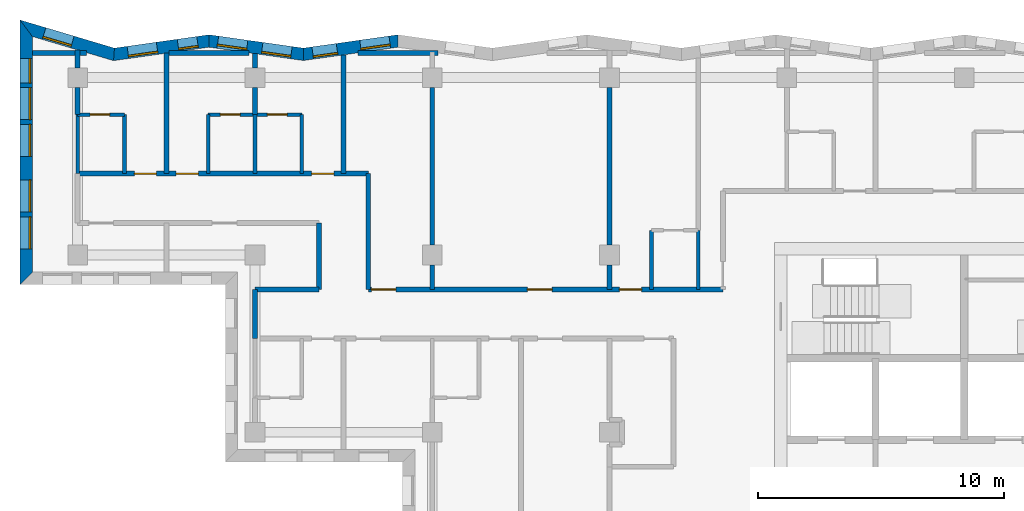
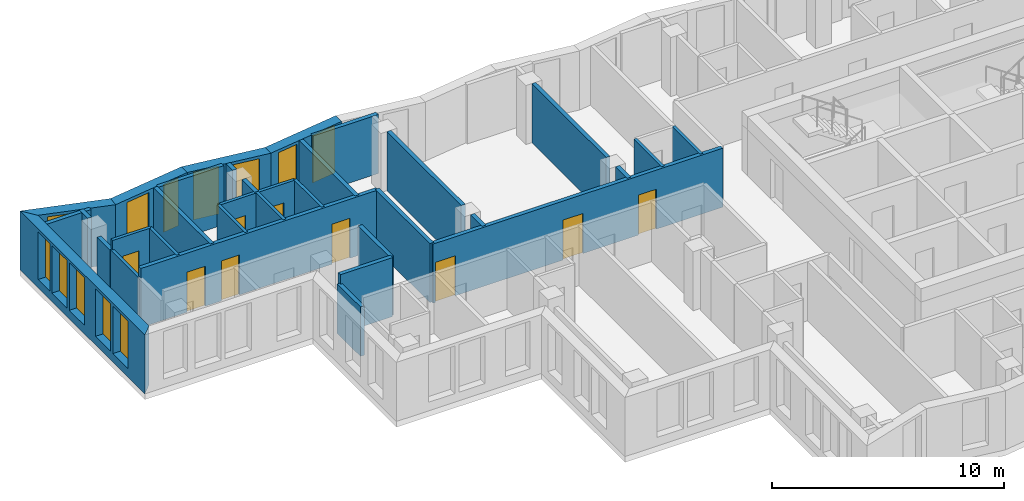
# One storey, part 6 of 13: 33 walls, 12 windows, 9 doors, 21 openings.
"""IFC4 building model written with IfcOpenShell, lengths in metres."""

from ifc_helpers import new_model, si_unit, direction, frame, frame_2d, origin, place, context, subcontext, project, spatial, polyline, rectangle, outline, extrude, material, layer, layer_set, type_object, element, fill, save


model = new_model("IFC4")

# Units and contexts
model_context = context("Model", 3, precision=1e-05, world=origin(), true_north=direction((0.0, 1.0)))
body_context = subcontext(model_context, "Body", "Model", "MODEL_VIEW")
ifc_project = project(units=[si_unit("LENGTHUNIT", "METRE"), si_unit("AREAUNIT", "SQUARE_METRE"), si_unit("VOLUMEUNIT", "CUBIC_METRE"), si_unit("PLANEANGLEUNIT", "RADIAN"), si_unit("MASSUNIT", "GRAM", prefix="KILO")], contexts=[model_context])

# Site, building, storey
site_placement = place(None, origin())
site = spatial("IfcSite", under=ifc_project, at=site_placement, CompositionType="ELEMENT")
building_placement = place(site_placement, origin())
building = spatial("IfcBuilding", under=site, at=building_placement, Name="Windrow Commons", CompositionType="ELEMENT")
storey_placement = place(building_placement, frame((0.0, 0.0, 216.8)))
storey = spatial("IfcBuildingStorey", under=building, at=storey_placement, Name="L59", CompositionType="ELEMENT", Elevation=216.8)

# Wall, openings, windows
ifc_material_1 = material(Name="Brick masonry, red clay brick", Category="masonry")
ifc_layer_1 = layer(ifc_material_1, 0.5)
ifc_layer_set_1 = layer_set([ifc_layer_1], Name="Brick facade wall 500")
wall_type_1 = type_object("IfcWallType", Name="Brick facade wall 500", PredefinedType="SOLIDWALL", material=ifc_layer_set_1)
wall_1_placement = place(storey_placement, frame((41.8043, 73.4895, 0.0), z_axis=(0.0, 0.0, 1.0), x_axis=(-0.9901681853, -0.1398819675, 0.0)))
wall_1 = element("IfcWall", 1, at=wall_1_placement, inside=storey, type_object=wall_type_1, Name="Brick facade wall L59 27", PredefinedType="SOLIDWALL", context=body_context, shape_type="SweptSolid", body=[
    extrude(outline(polyline([(-0.0353, -0.25), (3.8394, -0.25), (3.91, 0.25), (0.0353, 0.25), (-0.0353, -0.25)])), origin(), (0.0, 0.0, 1.0), 3.1),
])
opening_1_placement = place(wall_1_placement, frame((0.3308, 0.0, 0.45)))
opening_1 = element("IfcOpeningElement", 2, at=opening_1_placement, cuts=wall_1, Name="Opening W7E", PredefinedType="OPENING", context=body_context, shape_type="SweptSolid", body=[
    extrude(rectangle(XDim=1.2, YDim=2.5, at=frame_2d((0.6, 1.25))), frame((0.0, 0.26, 0.0), z_axis=(0.0, -1.0, 0.0), x_axis=(1.0, 0.0, 0.0)), (0.0, 0.0, 1.0), 0.52),
])
opening_2_placement = place(wall_1_placement, frame((2.4933, 0.0, 0.45)))
opening_2 = element("IfcOpeningElement", 3, at=opening_2_placement, cuts=wall_1, Name="Opening W1S", PredefinedType="OPENING", context=body_context, shape_type="SweptSolid", body=[
    extrude(rectangle(XDim=1.0, YDim=2.5, at=frame_2d((0.5, 1.25))), frame((0.0, 0.26, 0.0), z_axis=(0.0, -1.0, 0.0), x_axis=(1.0, 0.0, 0.0)), (0.0, 0.0, 1.0), 0.52),
])
ifc_material_2 = material(Name="Clear float glass in anodised aluminium frame", Category="aluminium")
window_type_1 = type_object("IfcWindowType", Name="Window W1S slit 1000x2500", PartitioningType="SINGLE_PANEL", PredefinedType="WINDOW", material=ifc_material_2)
window_1_placement = place(opening_2_placement, origin())
window_1 = element("IfcWindow", 4, at=window_1_placement, inside=storey, type_object=window_type_1, Name="Window L59 27.2A", OverallHeight=2.5, OverallWidth=1.0, PartitioningType="SINGLE_PANEL", PredefinedType="WINDOW", context=body_context, shape_type="SweptSolid", body=[
    extrude(rectangle(XDim=1.0, YDim=2.5, at=frame_2d((0.5, 1.25))), frame((0.0, 0.18, 0.0), z_axis=(0.0, -1.0, 0.0), x_axis=(1.0, 0.0, 0.0)), (0.0, 0.0, 1.0), 0.06),
])
fill(opening_2, window_1)
ifc_material_3 = material(Name="Clear float glass in anodised aluminium frame", Category="aluminium")
window_type_2 = type_object("IfcWindowType", Name="Window W7 notch 1200x2500", PartitioningType="SINGLE_PANEL", PredefinedType="WINDOW", material=ifc_material_3)
window_2_placement = place(opening_1_placement, origin())
window_2 = element("IfcWindow", 5, at=window_2_placement, inside=storey, type_object=window_type_2, Name="Window L59 27.1", OverallHeight=2.5, OverallWidth=1.2, PartitioningType="SINGLE_PANEL", PredefinedType="WINDOW", context=body_context, shape_type="SweptSolid", body=[
    extrude(rectangle(XDim=1.2, YDim=2.5, at=frame_2d((0.6, 1.25))), frame((0.0, 0.14, 0.0), z_axis=(0.0, -1.0, 0.0), x_axis=(1.0, 0.0, 0.0)), (0.0, 0.0, 1.0), 0.06),
])
fill(opening_1, window_2)

wall_2_placement = place(storey_placement, frame((37.9677, 72.9475, 0.0), z_axis=(0.0, 0.0, 1.0), x_axis=(-0.9901676803, 0.1398855422, 0.0)))
wall_2 = element("IfcWall", 6, at=wall_2_placement, inside=storey, type_object=wall_type_1, Name="Brick facade wall L59 28", PredefinedType="SOLIDWALL", context=body_context, shape_type="SweptSolid", body=[
    extrude(outline(polyline([(0.0353, -0.25), (3.91, -0.25), (3.8394, 0.25), (-0.0353, 0.25), (0.0353, -0.25)])), origin(), (0.0, 0.0, 1.0), 3.1),
])
opening_3_placement = place(wall_2_placement, frame((0.4936, 0.0, 0.45)))
opening_3 = element("IfcOpeningElement", 7, at=opening_3_placement, cuts=wall_2, Name="Opening W7E", PredefinedType="OPENING", context=body_context, shape_type="SweptSolid", body=[
    extrude(rectangle(XDim=1.2, YDim=2.5, at=frame_2d((0.6, 1.25))), frame((0.0, 0.26, 0.0), z_axis=(0.0, -1.0, 0.0), x_axis=(1.0, 0.0, 0.0)), (0.0, 0.0, 1.0), 0.52),
])
opening_4_placement = place(wall_2_placement, frame((2.3133, 0.0, 0.45)))
opening_4 = element("IfcOpeningElement", 8, at=opening_4_placement, cuts=wall_2, Name="Opening W7E", PredefinedType="OPENING", context=body_context, shape_type="SweptSolid", body=[
    extrude(rectangle(XDim=1.2, YDim=2.5, at=frame_2d((0.6, 1.25))), frame((0.0, 0.26, 0.0), z_axis=(0.0, -1.0, 0.0), x_axis=(1.0, 0.0, 0.0)), (0.0, 0.0, 1.0), 0.52),
])
window_3_placement = place(opening_3_placement, origin())
window_3 = element("IfcWindow", 9, at=window_3_placement, inside=storey, type_object=window_type_2, Name="Window L59 28.1", OverallHeight=2.5, OverallWidth=1.2, PartitioningType="SINGLE_PANEL", PredefinedType="WINDOW", context=body_context, shape_type="SweptSolid", body=[
    extrude(rectangle(XDim=1.2, YDim=2.5, at=frame_2d((0.6, 1.25))), frame((0.0, 0.18, 0.0), z_axis=(0.0, -1.0, 0.0), x_axis=(1.0, 0.0, 0.0)), (0.0, 0.0, 1.0), 0.06),
])
fill(opening_3, window_3)
window_4_placement = place(opening_4_placement, origin())
window_4 = element("IfcWindow", 10, at=window_4_placement, inside=storey, type_object=window_type_2, Name="Window L59 28.2", OverallHeight=2.5, OverallWidth=1.2, PartitioningType="SINGLE_PANEL", PredefinedType="WINDOW", context=body_context, shape_type="SweptSolid", body=[
    extrude(rectangle(XDim=1.2, YDim=2.5, at=frame_2d((0.6, 1.25))), frame((0.0, 0.14, 0.0), z_axis=(0.0, -1.0, 0.0), x_axis=(1.0, 0.0, 0.0)), (0.0, 0.0, 1.0), 0.06),
])
fill(opening_4, window_4)

wall_3_placement = place(storey_placement, frame((34.1312, 73.4895, 0.0), z_axis=(0.0, 0.0, 1.0), x_axis=(-0.9901681239, -0.1398824019, 0.0)))
wall_3 = element("IfcWall", 11, at=wall_3_placement, inside=storey, type_object=wall_type_1, Name="Brick facade wall L59 29", PredefinedType="SOLIDWALL", context=body_context, shape_type="SweptSolid", body=[
    extrude(outline(polyline([(-0.0353, -0.25), (3.8394, -0.25), (3.9485, 0.25), (0.0353, 0.25), (-0.0353, -0.25)])), origin(), (0.0, 0.0, 1.0), 3.1),
])
opening_5_placement = place(wall_3_placement, frame((2.1211, 0.0, 0.45)))
opening_5 = element("IfcOpeningElement", 12, at=opening_5_placement, cuts=wall_3, Name="Opening W7E", PredefinedType="OPENING", context=body_context, shape_type="SweptSolid", body=[
    extrude(rectangle(XDim=1.2, YDim=2.5, at=frame_2d((0.6, 1.25))), frame((0.0, 0.26, 0.0), z_axis=(0.0, -1.0, 0.0), x_axis=(1.0, 0.0, 0.0)), (0.0, 0.0, 1.0), 0.52),
])
opening_6_placement = place(wall_3_placement, frame((0.465, 0.0, 0.45)))
opening_6 = element("IfcOpeningElement", 13, at=opening_6_placement, cuts=wall_3, Name="Opening W1N", PredefinedType="OPENING", context=body_context, shape_type="SweptSolid", body=[
    extrude(rectangle(XDim=0.8, YDim=2.5, at=frame_2d((0.4, 1.25))), frame((0.0, 0.26, 0.0), z_axis=(0.0, -1.0, 0.0), x_axis=(1.0, 0.0, 0.0)), (0.0, 0.0, 1.0), 0.52),
])
ifc_material_4 = material(Name="Clear float glass in anodised aluminium frame", Category="aluminium")
window_type_3 = type_object("IfcWindowType", Name="Window W1N slit 800x2500", PartitioningType="SINGLE_PANEL", PredefinedType="WINDOW", material=ifc_material_4)
window_5_placement = place(opening_6_placement, origin())
window_5 = element("IfcWindow", 14, at=window_5_placement, inside=storey, type_object=window_type_3, Name="Window L59 29.1A", OverallHeight=2.5, OverallWidth=0.8, PartitioningType="SINGLE_PANEL", PredefinedType="WINDOW", context=body_context, shape_type="SweptSolid", body=[
    extrude(rectangle(XDim=0.8, YDim=2.5, at=frame_2d((0.4, 1.25))), frame((0.0, 0.18, 0.0), z_axis=(0.0, -1.0, 0.0), x_axis=(1.0, 0.0, 0.0)), (0.0, 0.0, 1.0), 0.06),
])
fill(opening_6, window_5)
window_6_placement = place(opening_5_placement, origin())
window_6 = element("IfcWindow", 15, at=window_6_placement, inside=storey, type_object=window_type_2, Name="Window L59 29.2", OverallHeight=2.5, OverallWidth=1.2, PartitioningType="SINGLE_PANEL", PredefinedType="WINDOW", context=body_context, shape_type="SweptSolid", body=[
    extrude(rectangle(XDim=1.2, YDim=2.5, at=frame_2d((0.6, 1.25))), frame((0.0, 0.18, 0.0), z_axis=(0.0, -1.0, 0.0), x_axis=(1.0, 0.0, 0.0)), (0.0, 0.0, 1.0), 0.06),
])
fill(opening_5, window_6)

# Wall, opening, window
wall_4_placement = place(storey_placement, frame((30.2755, 72.9448, 0.0), z_axis=(0.0, 0.0, 1.0), x_axis=(-0.9584414972, 0.2852891453, 0.0)))
wall_4 = element("IfcWall", 16, at=wall_4_placement, inside=storey, type_object=wall_type_1, Name="Brick facade wall L59 30", PredefinedType="SOLIDWALL", context=body_context, shape_type="SweptSolid", body=[
    extrude(outline(polyline([(0.0545, -0.25), (4.0575, -0.25), (3.387, 0.25), (-0.0545, 0.25), (0.0545, -0.25)])), origin(), (0.0, 0.0, 1.0), 3.1),
])
opening_7_placement = place(wall_4_placement, frame((1.7632, 0.0, 0.45)))
opening_7 = element("IfcOpeningElement", 17, at=opening_7_placement, cuts=wall_4, Name="Opening W7E", PredefinedType="OPENING", context=body_context, shape_type="SweptSolid", body=[
    extrude(rectangle(XDim=1.2, YDim=2.5, at=frame_2d((0.6, 1.25))), frame((0.0, 0.26, 0.0), z_axis=(0.0, -1.0, 0.0), x_axis=(1.0, 0.0, 0.0)), (0.0, 0.0, 1.0), 0.52),
])
window_7_placement = place(opening_7_placement, origin())
window_7 = element("IfcWindow", 18, at=window_7_placement, inside=storey, type_object=window_type_2, Name="Window L59 30.1", OverallHeight=2.5, OverallWidth=1.2, PartitioningType="SINGLE_PANEL", PredefinedType="WINDOW", context=body_context, shape_type="SweptSolid", body=[
    extrude(rectangle(XDim=1.2, YDim=2.5, at=frame_2d((0.6, 1.25))), frame((0.0, 0.18, 0.0), z_axis=(0.0, -1.0, 0.0), x_axis=(1.0, 0.0, 0.0)), (0.0, 0.0, 1.0), 0.06),
])
fill(opening_7, window_7)

# Wall, openings, windows
wall_5_placement = place(storey_placement, frame((26.708, 74.0067, 0.0), z_axis=(0.0, 0.0, 1.0), x_axis=(0.0, -1.0, 0.0)))
wall_5 = element("IfcWall", 19, at=wall_5_placement, inside=storey, type_object=wall_type_1, Name="Brick facade wall L59 31", PredefinedType="SOLIDWALL", context=body_context, shape_type="SweptSolid", body=[
    extrude(outline(polyline([(-0.3353, -0.25), (10.4067, -0.25), (9.9067, 0.25), (0.3353, 0.25), (-0.3353, -0.25)])), origin(), (0.0, 0.0, 1.0), 3.1),
])
opening_8_placement = place(wall_5_placement, frame((2.4067, 0.0, 0.45)))
opening_8 = element("IfcOpeningElement", 20, at=opening_8_placement, cuts=wall_5, Name="Opening W1Q", PredefinedType="OPENING", context=body_context, shape_type="SweptSolid", body=[
    extrude(rectangle(XDim=1.3, YDim=2.5, at=frame_2d((0.65, 1.25))), frame((0.0, 0.26, 0.0), z_axis=(0.0, -1.0, 0.0), x_axis=(1.0, 0.0, 0.0)), (0.0, 0.0, 1.0), 0.52),
])
opening_9_placement = place(wall_5_placement, frame((3.9067, 0.0, 0.45)))
opening_9 = element("IfcOpeningElement", 21, at=opening_9_placement, cuts=wall_5, Name="Opening W1Q", PredefinedType="OPENING", context=body_context, shape_type="SweptSolid", body=[
    extrude(rectangle(XDim=1.3, YDim=2.5, at=frame_2d((0.65, 1.25))), frame((0.0, 0.26, 0.0), z_axis=(0.0, -1.0, 0.0), x_axis=(1.0, 0.0, 0.0)), (0.0, 0.0, 1.0), 0.52),
])
opening_10_placement = place(wall_5_placement, frame((6.1567, 0.0, 0.45)))
opening_10 = element("IfcOpeningElement", 22, at=opening_10_placement, cuts=wall_5, Name="Opening W1Q", PredefinedType="OPENING", context=body_context, shape_type="SweptSolid", body=[
    extrude(rectangle(XDim=1.3, YDim=2.5, at=frame_2d((0.65, 1.25))), frame((0.0, 0.26, 0.0), z_axis=(0.0, -1.0, 0.0), x_axis=(1.0, 0.0, 0.0)), (0.0, 0.0, 1.0), 0.52),
])
opening_11_placement = place(wall_5_placement, frame((7.6567, 0.0, 0.45)))
opening_11 = element("IfcOpeningElement", 23, at=opening_11_placement, cuts=wall_5, Name="Opening W1Q", PredefinedType="OPENING", context=body_context, shape_type="SweptSolid", body=[
    extrude(rectangle(XDim=1.3, YDim=2.5, at=frame_2d((0.65, 1.25))), frame((0.0, 0.26, 0.0), z_axis=(0.0, -1.0, 0.0), x_axis=(1.0, 0.0, 0.0)), (0.0, 0.0, 1.0), 0.52),
])
opening_12_placement = place(wall_5_placement, frame((1.2318, 0.0, 0.45)))
opening_12 = element("IfcOpeningElement", 24, at=opening_12_placement, cuts=wall_5, Name="Opening W1S", PredefinedType="OPENING", context=body_context, shape_type="SweptSolid", body=[
    extrude(rectangle(XDim=1.0, YDim=2.5, at=frame_2d((0.5, 1.25))), frame((0.0, 0.26, 0.0), z_axis=(0.0, -1.0, 0.0), x_axis=(1.0, 0.0, 0.0)), (0.0, 0.0, 1.0), 0.52),
])
ifc_material_5 = material(Name="Clear float glass in anodised aluminium frame", Category="aluminium")
window_type_4 = type_object("IfcWindowType", Name="Window W1Q pair 1300x2500", PartitioningType="SINGLE_PANEL", PredefinedType="WINDOW", material=ifc_material_5)
window_8_placement = place(opening_8_placement, origin())
window_8 = element("IfcWindow", 25, at=window_8_placement, inside=storey, type_object=window_type_4, Name="Window L59 31.1A", OverallHeight=2.5, OverallWidth=1.3, PartitioningType="SINGLE_PANEL", PredefinedType="WINDOW", context=body_context, shape_type="SweptSolid", body=[
    extrude(rectangle(XDim=1.3, YDim=2.5, at=frame_2d((0.65, 1.25))), frame((0.0, 0.18, 0.0), z_axis=(0.0, -1.0, 0.0), x_axis=(1.0, 0.0, 0.0)), (0.0, 0.0, 1.0), 0.06),
])
fill(opening_8, window_8)
window_9_placement = place(opening_9_placement, origin())
window_9 = element("IfcWindow", 26, at=window_9_placement, inside=storey, type_object=window_type_4, Name="Window L59 31.1B", OverallHeight=2.5, OverallWidth=1.3, PartitioningType="SINGLE_PANEL", PredefinedType="WINDOW", context=body_context, shape_type="SweptSolid", body=[
    extrude(rectangle(XDim=1.3, YDim=2.5, at=frame_2d((0.65, 1.25))), frame((0.0, 0.18, 0.0), z_axis=(0.0, -1.0, 0.0), x_axis=(1.0, 0.0, 0.0)), (0.0, 0.0, 1.0), 0.06),
])
fill(opening_9, window_9)
window_10_placement = place(opening_10_placement, origin())
window_10 = element("IfcWindow", 27, at=window_10_placement, inside=storey, type_object=window_type_4, Name="Window L59 31.2A", OverallHeight=2.5, OverallWidth=1.3, PartitioningType="SINGLE_PANEL", PredefinedType="WINDOW", context=body_context, shape_type="SweptSolid", body=[
    extrude(rectangle(XDim=1.3, YDim=2.5, at=frame_2d((0.65, 1.25))), frame((0.0, 0.18, 0.0), z_axis=(0.0, -1.0, 0.0), x_axis=(1.0, 0.0, 0.0)), (0.0, 0.0, 1.0), 0.06),
])
fill(opening_10, window_10)
window_11_placement = place(opening_11_placement, origin())
window_11 = element("IfcWindow", 28, at=window_11_placement, inside=storey, type_object=window_type_4, Name="Window L59 31.2B", OverallHeight=2.5, OverallWidth=1.3, PartitioningType="SINGLE_PANEL", PredefinedType="WINDOW", context=body_context, shape_type="SweptSolid", body=[
    extrude(rectangle(XDim=1.3, YDim=2.5, at=frame_2d((0.65, 1.25))), frame((0.0, 0.18, 0.0), z_axis=(0.0, -1.0, 0.0), x_axis=(1.0, 0.0, 0.0)), (0.0, 0.0, 1.0), 0.06),
])
fill(opening_11, window_11)
window_12_placement = place(opening_12_placement, origin())
window_12 = element("IfcWindow", 29, at=window_12_placement, inside=storey, type_object=window_type_1, Name="Window L59 31.3A", OverallHeight=2.5, OverallWidth=1.0, PartitioningType="SINGLE_PANEL", PredefinedType="WINDOW", context=body_context, shape_type="SweptSolid", body=[
    extrude(rectangle(XDim=1.0, YDim=2.5, at=frame_2d((0.5, 1.25))), frame((0.0, 0.18, 0.0), z_axis=(0.0, -1.0, 0.0), x_axis=(1.0, 0.0, 0.0)), (0.0, 0.0, 1.0), 0.06),
])
fill(opening_12, window_12)

# Wall, openings, doors
ifc_material_6 = material(Name="Blockwork partition", Category="masonry")
ifc_layer_2 = layer(ifc_material_6, 0.2)
ifc_layer_set_2 = layer_set([ifc_layer_2], Name="IW-CORRIDOR-200")
wall_type_2 = type_object("IfcWallType", Name="IW-CORRIDOR-200", PredefinedType="PARTITIONING", material=ifc_layer_set_2)
wall_6_placement = place(storey_placement, frame((40.602, 63.4, 0.0), z_axis=(0.0, 0.0, 1.0), x_axis=(1.0, 0.0, 0.0)))
wall_6 = element("IfcWall", 30, at=wall_6_placement, inside=storey, type_object=wall_type_2, Name="W-L59-W003", PredefinedType="PARTITIONING", context=body_context, shape_type="SweptSolid", body=[
    extrude(rectangle(XDim=14.398, YDim=0.2, at=frame_2d((7.199, 0.0))), origin(), (0.0, 0.0, 1.0), 3.1),
])
opening_13_placement = place(wall_6_placement, frame((0.1239, 0.0, 0.0)))
opening_13 = element("IfcOpeningElement", 31, at=opening_13_placement, cuts=wall_6, Name="Opening D310F", PredefinedType="OPENING", context=body_context, shape_type="SweptSolid", body=[
    extrude(rectangle(XDim=1.0, YDim=2.1, at=frame_2d((0.5, 1.05))), frame((0.0, 0.11, 0.0), z_axis=(0.0, -1.0, 0.0), x_axis=(1.0, 0.0, 0.0)), (0.0, 0.0, 1.0), 0.22),
])
opening_14_placement = place(wall_6_placement, frame((6.4605, 0.0, 0.0)))
opening_14 = element("IfcOpeningElement", 32, at=opening_14_placement, cuts=wall_6, Name="Opening D310F", PredefinedType="OPENING", context=body_context, shape_type="SweptSolid", body=[
    extrude(rectangle(XDim=1.0, YDim=2.1, at=frame_2d((0.5, 1.05))), frame((0.0, 0.11, 0.0), z_axis=(0.0, -1.0, 0.0), x_axis=(1.0, 0.0, 0.0)), (0.0, 0.0, 1.0), 0.22),
])
opening_15_placement = place(wall_6_placement, frame((10.198, 0.0, 0.0)))
opening_15 = element("IfcOpeningElement", 33, at=opening_15_placement, cuts=wall_6, Name="Opening D109S", PredefinedType="OPENING", context=body_context, shape_type="SweptSolid", body=[
    extrude(rectangle(XDim=0.9, YDim=2.1, at=frame_2d((0.45, 1.05))), frame((0.0, 0.11, 0.0), z_axis=(0.0, -1.0, 0.0), x_axis=(1.0, 0.0, 0.0)), (0.0, 0.0, 1.0), 0.22),
])
ifc_material_7 = material(Name="Timber door leaf", Category="wood")
door_type_1 = type_object("IfcDoorType", Name="DT-AMENITY-1000", OperationType="SINGLE_SWING_LEFT", PredefinedType="DOOR", material=ifc_material_7)
door_1_placement = place(opening_13_placement, origin())
door_1 = element("IfcDoor", 34, at=door_1_placement, inside=storey, type_object=door_type_1, Name="D-L59-D011", OperationType="SINGLE_SWING_LEFT", OverallHeight=2.1, OverallWidth=1.0, PredefinedType="DOOR", context=body_context, shape_type="SweptSolid", body=[
    extrude(rectangle(XDim=1.0, YDim=2.1, at=frame_2d((0.5, 1.05))), frame((0.0, 0.025, 0.0), z_axis=(0.0, -1.0, 0.0), x_axis=(1.0, 0.0, 0.0)), (0.0, 0.0, 1.0), 0.05),
])
fill(opening_13, door_1)
door_2_placement = place(opening_14_placement, origin())
door_2 = element("IfcDoor", 35, at=door_2_placement, inside=storey, type_object=door_type_1, Name="D-L59-D012", OperationType="SINGLE_SWING_RIGHT", OverallHeight=2.1, OverallWidth=1.0, PredefinedType="DOOR", context=body_context, shape_type="SweptSolid", body=[
    extrude(rectangle(XDim=1.0, YDim=2.1, at=frame_2d((0.5, 1.05))), frame((0.0, 0.025, 0.0), z_axis=(0.0, -1.0, 0.0), x_axis=(1.0, 0.0, 0.0)), (0.0, 0.0, 1.0), 0.05),
])
fill(opening_14, door_2)
ifc_material_8 = material(Name="Timber door leaf", Category="wood")
door_type_2 = type_object("IfcDoorType", Name="DT-BEDROOM-900", OperationType="SINGLE_SWING_LEFT", PredefinedType="DOOR", material=ifc_material_8)
door_3_placement = place(opening_15_placement, origin())
door_3 = element("IfcDoor", 36, at=door_3_placement, inside=storey, type_object=door_type_2, Name="D-L59-D013", OperationType="SINGLE_SWING_RIGHT", OverallHeight=2.1, OverallWidth=0.9, PredefinedType="DOOR", context=body_context, shape_type="SweptSolid", body=[
    extrude(rectangle(XDim=0.9, YDim=2.1, at=frame_2d((0.45, 1.05))), frame((0.0, 0.025, 0.0), z_axis=(0.0, -1.0, 0.0), x_axis=(1.0, 0.0, 0.0)), (0.0, 0.0, 1.0), 0.05),
])
fill(opening_15, door_3)

wall_7_placement = place(storey_placement, frame((28.8, 68.1, 0.0), z_axis=(0.0, 0.0, 1.0), x_axis=(1.0, 0.0, 0.0)))
wall_7 = element("IfcWall", 37, at=wall_7_placement, inside=storey, type_object=wall_type_2, Name="W-L59-W005", PredefinedType="PARTITIONING", context=body_context, shape_type="SweptSolid", body=[
    extrude(rectangle(XDim=11.8, YDim=0.2, at=frame_2d((5.9, 0.0))), origin(), (0.0, 0.0, 1.0), 3.1),
])
opening_16_placement = place(wall_7_placement, frame((2.3, 0.0, 0.0)))
opening_16 = element("IfcOpeningElement", 38, at=opening_16_placement, cuts=wall_7, Name="Opening D109S", PredefinedType="OPENING", context=body_context, shape_type="SweptSolid", body=[
    extrude(rectangle(XDim=0.9, YDim=2.1, at=frame_2d((0.45, 1.05))), frame((0.0, 0.11, 0.0), z_axis=(0.0, -1.0, 0.0), x_axis=(1.0, 0.0, 0.0)), (0.0, 0.0, 1.0), 0.22),
])
opening_17_placement = place(wall_7_placement, frame((4.0, 0.0, 0.0)))
opening_17 = element("IfcOpeningElement", 39, at=opening_17_placement, cuts=wall_7, Name="Opening D109S", PredefinedType="OPENING", context=body_context, shape_type="SweptSolid", body=[
    extrude(rectangle(XDim=0.9, YDim=2.1, at=frame_2d((0.45, 1.05))), frame((0.0, 0.11, 0.0), z_axis=(0.0, -1.0, 0.0), x_axis=(1.0, 0.0, 0.0)), (0.0, 0.0, 1.0), 0.22),
])
opening_18_placement = place(wall_7_placement, frame((9.5, 0.0, 0.0)))
opening_18 = element("IfcOpeningElement", 40, at=opening_18_placement, cuts=wall_7, Name="Opening D109S", PredefinedType="OPENING", context=body_context, shape_type="SweptSolid", body=[
    extrude(rectangle(XDim=0.9, YDim=2.1, at=frame_2d((0.45, 1.05))), frame((0.0, 0.11, 0.0), z_axis=(0.0, -1.0, 0.0), x_axis=(1.0, 0.0, 0.0)), (0.0, 0.0, 1.0), 0.22),
])
door_4_placement = place(opening_16_placement, origin())
door_4 = element("IfcDoor", 41, at=door_4_placement, inside=storey, type_object=door_type_2, Name="D-L59-D002", OperationType="SINGLE_SWING_RIGHT", OverallHeight=2.1, OverallWidth=0.9, PredefinedType="DOOR", context=body_context, shape_type="SweptSolid", body=[
    extrude(rectangle(XDim=0.9, YDim=2.1, at=frame_2d((0.45, 1.05))), frame((0.0, 0.025, 0.0), z_axis=(0.0, -1.0, 0.0), x_axis=(1.0, 0.0, 0.0)), (0.0, 0.0, 1.0), 0.05),
])
fill(opening_16, door_4)
door_5_placement = place(opening_17_placement, origin())
door_5 = element("IfcDoor", 42, at=door_5_placement, inside=storey, type_object=door_type_2, Name="D-L59-D004", OperationType="SINGLE_SWING_LEFT", OverallHeight=2.1, OverallWidth=0.9, PredefinedType="DOOR", context=body_context, shape_type="SweptSolid", body=[
    extrude(rectangle(XDim=0.9, YDim=2.1, at=frame_2d((0.45, 1.05))), frame((0.0, 0.025, 0.0), z_axis=(0.0, -1.0, 0.0), x_axis=(1.0, 0.0, 0.0)), (0.0, 0.0, 1.0), 0.05),
])
fill(opening_17, door_5)
door_6_placement = place(opening_18_placement, origin())
door_6 = element("IfcDoor", 43, at=door_6_placement, inside=storey, type_object=door_type_2, Name="D-L59-D006", OperationType="SINGLE_SWING_RIGHT", OverallHeight=2.1, OverallWidth=0.9, PredefinedType="DOOR", context=body_context, shape_type="SweptSolid", body=[
    extrude(rectangle(XDim=0.9, YDim=2.1, at=frame_2d((0.45, 1.05))), frame((0.0, 0.025, 0.0), z_axis=(0.0, -1.0, 0.0), x_axis=(1.0, 0.0, 0.0)), (0.0, 0.0, 1.0), 0.05),
])
fill(opening_18, door_6)

# Walls
wall_8_placement = place(storey_placement, frame((40.6, 63.402, 0.0), z_axis=(0.0, 0.0, 1.0), x_axis=(0.0, 1.0, 0.0)))
element("IfcWall", 44, at=wall_8_placement, inside=storey, type_object=wall_type_2, Name="W-L59-W033", PredefinedType="PARTITIONING", context=body_context, shape_type="SweptSolid", body=[
    extrude(rectangle(XDim=4.698, YDim=0.2, at=frame_2d((2.349, 0.0))), origin(), (0.0, 0.0, 1.0), 3.1),
])
wall_9_placement = place(storey_placement, frame((38.6, 63.402, 0.0), z_axis=(0.0, 0.0, 1.0), x_axis=(0.0, 1.0, 0.0)))
element("IfcWall", 45, at=wall_9_placement, inside=storey, type_object=wall_type_2, Name="W-L59-W060", PredefinedType="PARTITIONING", context=body_context, shape_type="SweptSolid", body=[
    extrude(rectangle(XDim=2.696, YDim=0.2, at=frame_2d((1.348, 0.0))), origin(), (0.0, 0.0, 1.0), 3.1),
])
wall_10_placement = place(storey_placement, frame((36.002, 63.4, 0.0), z_axis=(0.0, 0.0, 1.0), x_axis=(1.0, 0.0, 0.0)))
element("IfcWall", 46, at=wall_10_placement, inside=storey, type_object=wall_type_2, Name="W-L59-W062", PredefinedType="PARTITIONING", context=body_context, shape_type="SweptSolid", body=[
    extrude(rectangle(XDim=2.598, YDim=0.2, at=frame_2d((1.299, 0.0))), origin(), (0.0, 0.0, 1.0), 3.1),
])
wall_11_placement = place(storey_placement, frame((36.0, 61.4, 0.0), z_axis=(0.0, 0.0, 1.0), x_axis=(0.0, 1.0, 0.0)))
element("IfcWall", 47, at=wall_11_placement, inside=storey, type_object=wall_type_2, Name="W-L59-W102", PredefinedType="PARTITIONING", context=body_context, shape_type="SweptSolid", body=[
    extrude(rectangle(XDim=2.0, YDim=0.2, at=frame_2d((1.0, 0.0))), origin(), (0.0, 0.0, 1.0), 2.6),
])

# Wall, openings, doors
ifc_material_9 = material(Name="Blockwork partition", Category="masonry")
ifc_layer_3 = layer(ifc_material_9, 0.15)
ifc_layer_set_3 = layer_set([ifc_layer_3], Name="IW-ENSUITE-150")
wall_type_3 = type_object("IfcWallType", Name="IW-ENSUITE-150", PredefinedType="PARTITIONING", material=ifc_layer_set_3)
wall_12_placement = place(storey_placement, frame((34.1, 70.5, 0.0), z_axis=(0.0, 0.0, 1.0), x_axis=(1.0, 0.0, 0.0)))
wall_12 = element("IfcWall", 48, at=wall_12_placement, inside=storey, type_object=wall_type_3, Name="W-L59-W044", PredefinedType="PARTITIONING", context=body_context, shape_type="SweptSolid", body=[
    extrude(rectangle(XDim=3.8, YDim=0.15, at=frame_2d((1.9, 0.0))), origin(), (0.0, 0.0, 1.0), 3.1),
])
opening_19_placement = place(wall_12_placement, frame((0.4931, 0.0, 0.0)))
opening_19 = element("IfcOpeningElement", 49, at=opening_19_placement, cuts=wall_12, Name="Opening D208N", PredefinedType="OPENING", context=body_context, shape_type="SweptSolid", body=[
    extrude(rectangle(XDim=0.8, YDim=2.1, at=frame_2d((0.4, 1.05))), frame((0.0, 0.085, 0.0), z_axis=(0.0, -1.0, 0.0), x_axis=(1.0, 0.0, 0.0)), (0.0, 0.0, 1.0), 0.17),
])
opening_20_placement = place(wall_12_placement, frame((2.4021, 0.0, 0.0)))
opening_20 = element("IfcOpeningElement", 50, at=opening_20_placement, cuts=wall_12, Name="Opening D208N", PredefinedType="OPENING", context=body_context, shape_type="SweptSolid", body=[
    extrude(rectangle(XDim=0.8, YDim=2.1, at=frame_2d((0.4, 1.05))), frame((0.0, 0.085, 0.0), z_axis=(0.0, -1.0, 0.0), x_axis=(1.0, 0.0, 0.0)), (0.0, 0.0, 1.0), 0.17),
])
ifc_material_10 = material(Name="Timber door leaf", Category="wood")
door_type_3 = type_object("IfcDoorType", Name="DT-ENSUITE-800", OperationType="SINGLE_SWING_LEFT", PredefinedType="DOOR", material=ifc_material_10)
door_7_placement = place(opening_19_placement, origin())
door_7 = element("IfcDoor", 51, at=door_7_placement, inside=storey, type_object=door_type_3, Name="D-L59-D005", OperationType="SINGLE_SWING_RIGHT", OverallHeight=2.1, OverallWidth=0.8, PredefinedType="DOOR", context=body_context, shape_type="SweptSolid", body=[
    extrude(rectangle(XDim=0.8, YDim=2.1, at=frame_2d((0.4, 1.05))), frame((0.0, 0.025, 0.0), z_axis=(0.0, -1.0, 0.0), x_axis=(1.0, 0.0, 0.0)), (0.0, 0.0, 1.0), 0.05),
])
fill(opening_19, door_7)
door_8_placement = place(opening_20_placement, origin())
door_8 = element("IfcDoor", 52, at=door_8_placement, inside=storey, type_object=door_type_3, Name="D-L59-D007", OperationType="SINGLE_SWING_RIGHT", OverallHeight=2.1, OverallWidth=0.8, PredefinedType="DOOR", context=body_context, shape_type="SweptSolid", body=[
    extrude(rectangle(XDim=0.8, YDim=2.1, at=frame_2d((0.4, 1.05))), frame((0.0, 0.025, 0.0), z_axis=(0.0, -1.0, 0.0), x_axis=(1.0, 0.0, 0.0)), (0.0, 0.0, 1.0), 0.05),
])
fill(opening_20, door_8)

# Walls
wall_13_placement = place(storey_placement, frame((28.8, 68.1, 0.0), z_axis=(0.0, 0.0, 1.0), x_axis=(0.0, 1.0, 0.0)))
element("IfcWall", 53, at=wall_13_placement, inside=storey, type_object=wall_type_3, Name="W-L59-W068", PredefinedType="PARTITIONING", context=body_context, shape_type="SweptSolid", body=[
    extrude(rectangle(XDim=2.4, YDim=0.15, at=frame_2d((1.2, 0.0))), origin(), (0.0, 0.0, 1.0), 2.6),
])
for number, where, z_axis, x_axis, name in (
    (54, (30.7, 68.1, 0.0), (0.0, 0.0, 1.0), (0.0, 1.0, 0.0), "W-L59-W069"),
    (55, (34.1, 68.1, 0.0), (0.0, 0.0, 1.0), (0.0, 1.0, 0.0), "W-L59-W070"),
    (56, (37.9, 68.1, 0.0), (0.0, 0.0, 1.0), (0.0, 1.0, 0.0), "W-L59-W071"),
    (57, (36.0, 68.1, 0.0), (0.0, 0.0, 1.0), (0.0, 1.0, 0.0), "W-L59-W072"),
    (58, (52.1, 63.4, 0.0), (0.0, 0.0, 1.0), (0.0, 1.0, 0.0), "W-L59-W079"),
    (59, (54.0, 63.4, 0.0), (0.0, 0.0, 1.0), (0.0, 1.0, 0.0), "W-L59-W080"),
):
    element("IfcWall", number, at=place(storey_placement, frame(where, z_axis=z_axis, x_axis=x_axis)), inside=storey, type_object=wall_type_3, Name=name, PredefinedType="PARTITIONING", context=body_context, shape_type="SweptSolid", body=[
        extrude(rectangle(XDim=2.4, YDim=0.15, at=frame_2d((1.2, 0.0))), origin(), (0.0, 0.0, 1.0), 3.1),
    ])

# Wall, opening, door
wall_14_placement = place(storey_placement, frame((28.8, 70.5, 0.0), z_axis=(0.0, 0.0, 1.0), x_axis=(1.0, 0.0, 0.0)))
wall_14 = element("IfcWall", 60, at=wall_14_placement, inside=storey, type_object=wall_type_3, Name="W-L59-W114", PredefinedType="PARTITIONING", context=body_context, shape_type="SweptSolid", body=[
    extrude(rectangle(XDim=1.9, YDim=0.15, at=frame_2d((0.95, 0.0))), origin(), (0.0, 0.0, 1.0), 3.1),
])
opening_21_placement = place(wall_14_placement, frame((0.5021, 0.0, 0.0)))
opening_21 = element("IfcOpeningElement", 61, at=opening_21_placement, cuts=wall_14, Name="Opening D208N", PredefinedType="OPENING", context=body_context, shape_type="SweptSolid", body=[
    extrude(rectangle(XDim=0.8, YDim=2.1, at=frame_2d((0.4, 1.05))), frame((0.0, 0.085, 0.0), z_axis=(0.0, -1.0, 0.0), x_axis=(1.0, 0.0, 0.0)), (0.0, 0.0, 1.0), 0.17),
])
door_9_placement = place(opening_21_placement, origin())
door_9 = element("IfcDoor", 62, at=door_9_placement, inside=storey, type_object=door_type_3, Name="D-L59-D003", OperationType="SINGLE_SWING_RIGHT", OverallHeight=2.1, OverallWidth=0.8, PredefinedType="DOOR", context=body_context, shape_type="SweptSolid", body=[
    extrude(rectangle(XDim=0.8, YDim=2.1, at=frame_2d((0.4, 1.05))), frame((0.0, 0.025, 0.0), z_axis=(0.0, -1.0, 0.0), x_axis=(1.0, 0.0, 0.0)), (0.0, 0.0, 1.0), 0.05),
])
fill(opening_21, door_9)

# Walls
ifc_material_11 = material(Name="Blockwork partition", Category="masonry")
ifc_layer_4 = layer(ifc_material_11, 0.2)
ifc_layer_set_4 = layer_set([ifc_layer_4], Name="IW-PARTY-200")
wall_type_4 = type_object("IfcWallType", Name="IW-PARTY-200", PredefinedType="PARTITIONING", material=ifc_layer_set_4)
for number, where, z_axis, x_axis, name in (
    (63, (43.2, 65.2, 0.0), (0.0, 0.0, 1.0), (0.0, 1.0, 0.0), "W-L59-W021"),
    (64, (50.4, 65.2, 0.0), (0.0, 0.0, 1.0), (0.0, 1.0, 0.0), "W-L59-W022"),
):
    element("IfcWall", number, at=place(storey_placement, frame(where, z_axis=z_axis, x_axis=x_axis)), inside=storey, type_object=wall_type_4, Name=name, PredefinedType="PARTITIONING", context=body_context, shape_type="SweptSolid", body=[
        extrude(rectangle(XDim=6.4, YDim=0.2, at=frame_2d((3.2, 0.0))), origin(), (0.0, 0.0, 1.0), 3.1),
    ])
wall_15_placement = place(storey_placement, frame((32.4, 68.1, 0.0), z_axis=(0.0, 0.0, 1.0), x_axis=(0.0, 1.0, 0.0)))
element("IfcWall", 65, at=wall_15_placement, inside=storey, type_object=wall_type_4, Name="W-L59-W031", PredefinedType="PARTITIONING", context=body_context, shape_type="SweptSolid", body=[
    extrude(rectangle(XDim=4.8925, YDim=0.2, at=frame_2d((2.4463, 0.0))), origin(), (0.0, 0.0, 1.0), 3.1),
])
wall_16_placement = place(storey_placement, frame((39.6, 68.1, 0.0), z_axis=(0.0, 0.0, 1.0), x_axis=(0.0, 1.0, 0.0)))
element("IfcWall", 66, at=wall_16_placement, inside=storey, type_object=wall_type_4, Name="W-L59-W032", PredefinedType="PARTITIONING", context=body_context, shape_type="SweptSolid", body=[
    extrude(rectangle(XDim=4.8256, YDim=0.2, at=frame_2d((2.4128, 0.0))), origin(), (0.0, 0.0, 1.0), 3.1),
])
for number, where, z_axis, x_axis, name in (
    (67, (32.5033, 73.0, 0.0), (0.0, 0.0, 1.0), (1.0, 0.0, 0.0), "W-L59-W051"),
    (68, (40.1765, 73.0, 0.0), (0.0, 0.0, 1.0), (1.0, 0.0, 0.0), "W-L59-W052"),
):
    element("IfcWall", number, at=place(storey_placement, frame(where, z_axis=z_axis, x_axis=x_axis)), inside=storey, type_object=wall_type_4, Name=name, PredefinedType="PARTITIONING", context=body_context, shape_type="SweptSolid", body=[
        extrude(rectangle(XDim=3.2557, YDim=0.2, at=frame_2d((1.6279, 0.0))), origin(), (0.0, 0.0, 1.0), 3.1),
    ])
wall_17_placement = place(storey_placement, frame((26.958, 73.0, 0.0), z_axis=(0.0, 0.0, 1.0), x_axis=(1.0, 0.0, 0.0)))
element("IfcWall", 69, at=wall_17_placement, inside=storey, type_object=wall_type_4, Name="W-L59-W098", PredefinedType="PARTITIONING", context=body_context, shape_type="SweptSolid", body=[
    extrude(rectangle(XDim=2.2059, YDim=0.2, at=frame_2d((1.103, 0.0))), origin(), (0.0, 0.0, 1.0), 3.1),
])
wall_18_placement = place(storey_placement, frame((28.8, 70.5, 0.0), z_axis=(0.0, 0.0, 1.0), x_axis=(0.0, 1.0, 0.0)))
element("IfcWall", 70, at=wall_18_placement, inside=storey, type_object=wall_type_4, Name="W-L59-W132", PredefinedType="PARTITIONING", context=body_context, shape_type="SweptSolid", body=[
    extrude(rectangle(XDim=1.1, YDim=0.2, at=frame_2d((0.55, 0.0))), origin(), (0.0, 0.0, 1.0), 2.6),
])
wall_19_placement = place(storey_placement, frame((36.0, 70.5, 0.0), z_axis=(0.0, 0.0, 1.0), x_axis=(0.0, 1.0, 0.0)))
element("IfcWall", 71, at=wall_19_placement, inside=storey, type_object=wall_type_4, Name="W-L59-W133", PredefinedType="PARTITIONING", context=body_context, shape_type="SweptSolid", body=[
    extrude(rectangle(XDim=1.1, YDim=0.2, at=frame_2d((0.55, 0.0))), origin(), (0.0, 0.0, 1.0), 3.1),
])
for number, where, z_axis, x_axis, name in (
    (72, (43.2, 63.4, 0.0), (0.0, 0.0, 1.0), (0.0, 1.0, 0.0), "W-L59-W136"),
    (73, (50.4, 63.4, 0.0), (0.0, 0.0, 1.0), (0.0, 1.0, 0.0), "W-L59-W137"),
):
    element("IfcWall", number, at=place(storey_placement, frame(where, z_axis=z_axis, x_axis=x_axis)), inside=storey, type_object=wall_type_4, Name=name, PredefinedType="PARTITIONING", context=body_context, shape_type="SweptSolid", body=[
        extrude(rectangle(XDim=1.0, YDim=0.2, at=frame_2d((0.5, 0.0))), origin(), (0.0, 0.0, 1.0), 3.1),
    ])
wall_20_placement = place(storey_placement, frame((28.8, 72.4, 0.0), z_axis=(0.0, 0.0, 1.0), x_axis=(0.0, 1.0, 0.0)))
element("IfcWall", 74, at=wall_20_placement, inside=storey, type_object=wall_type_4, Name="W-L59-W150", PredefinedType="PARTITIONING", context=body_context, shape_type="SweptSolid", body=[
    extrude(rectangle(XDim=0.7232, YDim=0.2, at=frame_2d((0.3616, 0.0))), origin(), (0.0, 0.0, 1.0), 3.1),
])
wall_21_placement = place(storey_placement, frame((36.0, 72.4, 0.0), z_axis=(0.0, 0.0, 1.0), x_axis=(0.0, 1.0, 0.0)))
element("IfcWall", 75, at=wall_21_placement, inside=storey, type_object=wall_type_4, Name="W-L59-W159", PredefinedType="PARTITIONING", context=body_context, shape_type="SweptSolid", body=[
    extrude(rectangle(XDim=0.573, YDim=0.2, at=frame_2d((0.2865, 0.0))), origin(), (0.0, 0.0, 1.0), 3.1),
])

save(model, "model.ifc")
